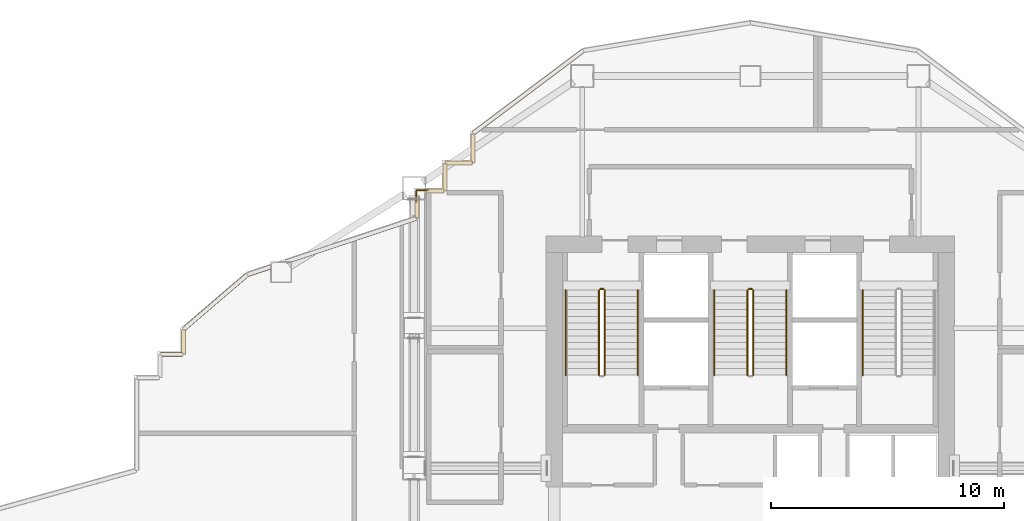
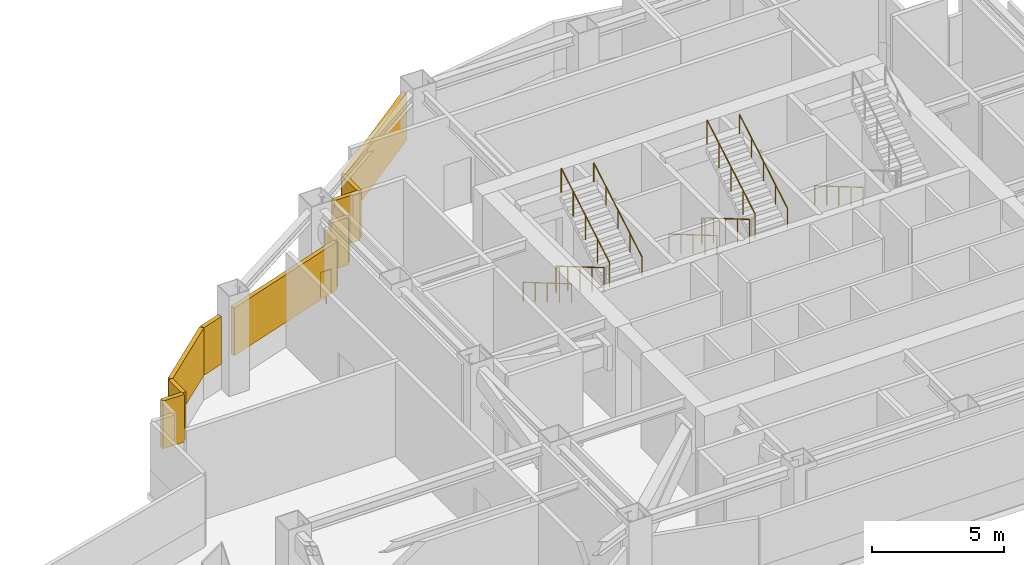
# One storey, part 22 of 24: 13 railings, 11 shading devices.
"""IFC4 building model written with IfcOpenShell, lengths in metres."""

from ifc_helpers import new_model, si_unit, direction, frame, origin, origin_2d, place, context, subcontext, project, spatial, rectangle, circle, extrude, material, type_object, element, save


model = new_model("IFC4")

# Units and contexts
model_context = context("Model", 3, precision=1e-05, world=origin(), true_north=direction((0.0, 1.0)))
body_context = subcontext(model_context, "Body", "Model", "MODEL_VIEW")
ifc_project = project(units=[si_unit("LENGTHUNIT", "METRE"), si_unit("AREAUNIT", "SQUARE_METRE"), si_unit("VOLUMEUNIT", "CUBIC_METRE"), si_unit("PLANEANGLEUNIT", "RADIAN"), si_unit("MASSUNIT", "GRAM", prefix="KILO")], contexts=[model_context])

# Site, building, storey
site_placement = place(None, origin())
site = spatial("IfcSite", under=ifc_project, at=site_placement, CompositionType="ELEMENT")
building_placement = place(site_placement, origin())
building = spatial("IfcBuilding", under=site, at=building_placement, Name="Haolan Belvedere Tower", CompositionType="ELEMENT")
storey_placement = place(building_placement, frame((0.0, 0.0, 160.0)))
storey = spatial("IfcBuildingStorey", under=building, at=storey_placement, Name="L40", CompositionType="ELEMENT", Elevation=160.0)

# Railings
ifc_material_1 = material(Name="Galvanised powder-coated steel guardrail", Category="steel")
railing_type_1 = type_object("IfcRailingType", Name="RL-REF-GRD-1150", PredefinedType="GUARDRAIL", material=ifc_material_1)
railing_1_placement = place(storey_placement, frame((24.090087890625, 45.010009765625, 0.0)))
element("IfcRailing", 1, at=railing_1_placement, inside=storey, type_object=railing_type_1, Name="L40 refuge corner safety guardrail 7A", PredefinedType="GUARDRAIL", context=body_context, shape_type="SweptSolid", body=[
    extrude(circle(Radius=0.02392578125, at=origin_2d()), frame((0.0, 0.0, 1.1259765625), z_axis=(0.0, 1.0, 0.0), x_axis=(-1.0, 0.0, 0.0)), (0.0, 0.0, 1.0), 0.469970703125),
    extrude(circle(Radius=0.02099609375, at=origin_2d()), origin(), (0.0, 0.0, 1.0), 1.101806640625),
    extrude(circle(Radius=0.02099609375, at=origin_2d()), frame((0.0, 0.469970703125, 0.0)), (0.0, 0.0, 1.0), 1.101806640625),
])
railing_2_placement = place(storey_placement, frame((24.1201171875, 45.510009765625, 0.0)))
element("IfcRailing", 2, at=railing_2_placement, inside=storey, type_object=railing_type_1, Name="L40 refuge corner safety guardrail 7B", PredefinedType="GUARDRAIL", context=body_context, shape_type="SweptSolid", body=[
    extrude(circle(Radius=0.02392578125, at=origin_2d()), frame((0.0, 0.0, 1.1259765625), z_axis=(1.0, 0.0, 0.0), x_axis=(0.0, 1.0, 0.0)), (0.0, 0.0, 1.0), 0.469970703125),
    extrude(circle(Radius=0.02099609375, at=origin_2d()), origin(), (0.0, 0.0, 1.0), 1.101806640625),
    extrude(circle(Radius=0.02099609375, at=origin_2d()), frame((0.469970703125, 0.0, 0.0)), (0.0, 0.0, 1.0), 1.101806640625),
])
ifc_material_2 = material(Name="Brushed stainless steel 304", Category="steel")
railing_type_2 = type_object("IfcRailingType", Name="RL-STAIR-GRD-1150", PredefinedType="GUARDRAIL", material=ifc_material_2)
railing_3_placement = place(storey_placement, frame((31.919921875, 41.22998046875, 0.164306640625)))
element("IfcRailing", 3, at=railing_3_placement, inside=storey, type_object=railing_type_2, Name="L40 ST1 stair guard 1", PredefinedType="GUARDRAIL", context=body_context, shape_type="SweptSolid", body=[
    extrude(circle(Radius=0.02392578125, at=origin_2d()), frame((0.0, 0.0, 1.1259765625), z_axis=(0.0, -0.862489892076, 0.506074289079), x_axis=(1.0, 0.0, 0.0)), (0.0, 0.0, 1.0), 4.22021484375),
    extrude(circle(Radius=0.02099609375, at=origin_2d()), origin(), (0.0, 0.0, 1.0), 1.101806640625),
    extrude(circle(Radius=0.02099609375, at=origin_2d()), frame((0.0, -0.909912109375, 0.533935546875)), (0.0, 0.0, 1.0), 1.101806640625),
    extrude(circle(Radius=0.02099609375, at=origin_2d()), frame((0.0, -1.81982421875, 1.06787109375)), (0.0, 0.0, 1.0), 1.101806640625),
    extrude(circle(Radius=0.02099609375, at=origin_2d()), frame((0.0, -2.72998046875, 1.601806640625)), (0.0, 0.0, 1.0), 1.101806640625),
    extrude(circle(Radius=0.02099609375, at=origin_2d()), frame((0.0, -3.639892578125, 2.1357421875)), (0.0, 0.0, 1.0), 1.101806640625),
])
railing_4_placement = place(storey_placement, frame((32.159912109375, 37.590087890625, 2.46435546875)))
element("IfcRailing", 4, at=railing_4_placement, inside=storey, type_object=railing_type_2, Name="L40 ST1 stair guard 3", PredefinedType="GUARDRAIL", context=body_context, shape_type="SweptSolid", body=[
    extrude(circle(Radius=0.02392578125, at=origin_2d()), frame((0.0, 0.0, 1.1259765625), z_axis=(0.0, 0.862489892076, 0.506074289079), x_axis=(-1.0, 0.0, 0.0)), (0.0, 0.0, 1.0), 4.22021484375),
    extrude(circle(Radius=0.02099609375, at=origin_2d()), origin(), (0.0, 0.0, 1.0), 1.101806640625),
    extrude(circle(Radius=0.02099609375, at=origin_2d()), frame((0.0, 0.909912109375, 0.533935546875)), (0.0, 0.0, 1.0), 1.101806640625),
    extrude(circle(Radius=0.02099609375, at=origin_2d()), frame((0.0, 1.81982421875, 1.06787109375)), (0.0, 0.0, 1.0), 1.101806640625),
    extrude(circle(Radius=0.02099609375, at=origin_2d()), frame((0.0, 2.72998046875, 1.601806640625)), (0.0, 0.0, 1.0), 1.101806640625),
    extrude(circle(Radius=0.02099609375, at=origin_2d()), frame((0.0, 3.639892578125, 2.1357421875)), (0.0, 0.0, 1.0), 1.101806640625),
])
railing_5_placement = place(storey_placement, frame((31.969970703125, 41.280029296875, 0.0)))
element("IfcRailing", 5, at=railing_5_placement, inside=storey, type_object=railing_type_2, Name="L40 ST1 stair guard 4", PredefinedType="GUARDRAIL", context=body_context, shape_type="SweptSolid", body=[
    extrude(circle(Radius=0.02392578125, at=origin_2d()), frame((0.0, 0.0, 1.1259765625), z_axis=(1.0, 0.0, 0.0), x_axis=(0.0, 1.0, 0.0)), (0.0, 0.0, 1.0), 0.14013671875),
    extrude(circle(Radius=0.02099609375, at=origin_2d()), origin(), (0.0, 0.0, 1.0), 1.101806640625),
    extrude(circle(Radius=0.02099609375, at=origin_2d()), frame((0.14013671875, 0.0, 0.0)), (0.0, 0.0, 1.0), 1.101806640625),
])
railing_6_placement = place(storey_placement, frame((38.280029296875, 41.22998046875, 0.164306640625)))
element("IfcRailing", 6, at=railing_6_placement, inside=storey, type_object=railing_type_2, Name="L40 ST3 stair guard 1", PredefinedType="GUARDRAIL", context=body_context, shape_type="SweptSolid", body=[
    extrude(circle(Radius=0.02392578125, at=origin_2d()), frame((0.0, 0.0, 1.1259765625), z_axis=(0.0, -0.862489892076, 0.506074289079), x_axis=(1.0, 0.0, 0.0)), (0.0, 0.0, 1.0), 4.22021484375),
    extrude(circle(Radius=0.02099609375, at=origin_2d()), origin(), (0.0, 0.0, 1.0), 1.101806640625),
    extrude(circle(Radius=0.02099609375, at=origin_2d()), frame((0.0, -0.909912109375, 0.533935546875)), (0.0, 0.0, 1.0), 1.101806640625),
    extrude(circle(Radius=0.02099609375, at=origin_2d()), frame((0.0, -1.81982421875, 1.06787109375)), (0.0, 0.0, 1.0), 1.101806640625),
    extrude(circle(Radius=0.02099609375, at=origin_2d()), frame((0.0, -2.72998046875, 1.601806640625)), (0.0, 0.0, 1.0), 1.101806640625),
    extrude(circle(Radius=0.02099609375, at=origin_2d()), frame((0.0, -3.639892578125, 2.1357421875)), (0.0, 0.0, 1.0), 1.101806640625),
])
railing_7_placement = place(storey_placement, frame((38.52001953125, 37.590087890625, 2.46435546875)))
element("IfcRailing", 7, at=railing_7_placement, inside=storey, type_object=railing_type_2, Name="L40 ST3 stair guard 3", PredefinedType="GUARDRAIL", context=body_context, shape_type="SweptSolid", body=[
    extrude(circle(Radius=0.02392578125, at=origin_2d()), frame((0.0, 0.0, 1.1259765625), z_axis=(0.0, 0.862489892076, 0.506074289079), x_axis=(-1.0, 0.0, 0.0)), (0.0, 0.0, 1.0), 4.22021484375),
    extrude(circle(Radius=0.02099609375, at=origin_2d()), origin(), (0.0, 0.0, 1.0), 1.101806640625),
    extrude(circle(Radius=0.02099609375, at=origin_2d()), frame((0.0, 0.909912109375, 0.533935546875)), (0.0, 0.0, 1.0), 1.101806640625),
    extrude(circle(Radius=0.02099609375, at=origin_2d()), frame((0.0, 1.81982421875, 1.06787109375)), (0.0, 0.0, 1.0), 1.101806640625),
    extrude(circle(Radius=0.02099609375, at=origin_2d()), frame((0.0, 2.72998046875, 1.601806640625)), (0.0, 0.0, 1.0), 1.101806640625),
    extrude(circle(Radius=0.02099609375, at=origin_2d()), frame((0.0, 3.639892578125, 2.1357421875)), (0.0, 0.0, 1.0), 1.101806640625),
])
railing_8_placement = place(storey_placement, frame((38.330078125, 41.280029296875, 0.0)))
element("IfcRailing", 8, at=railing_8_placement, inside=storey, type_object=railing_type_2, Name="L40 ST3 stair guard 4", PredefinedType="GUARDRAIL", context=body_context, shape_type="SweptSolid", body=[
    extrude(circle(Radius=0.02392578125, at=origin_2d()), frame((0.0, 0.0, 1.1259765625), z_axis=(1.0, 0.0, 0.0), x_axis=(0.0, 1.0, 0.0)), (0.0, 0.0, 1.0), 0.139892578125),
    extrude(circle(Radius=0.02099609375, at=origin_2d()), origin(), (0.0, 0.0, 1.0), 1.101806640625),
    extrude(circle(Radius=0.02099609375, at=origin_2d()), frame((0.139892578125, 0.0, 0.0)), (0.0, 0.0, 1.0), 1.101806640625),
])
railing_type_3 = type_object("IfcRailingType", Name="RL-STAIR-HND-900", PredefinedType="HANDRAIL", material=ifc_material_2)
railing_9_placement = place(storey_placement, frame((30.5, 41.22998046875, 0.164306640625)))
element("IfcRailing", 9, at=railing_9_placement, inside=storey, type_object=railing_type_3, Name="L40 ST1 stair handrail 1", PredefinedType="HANDRAIL", context=body_context, shape_type="SweptSolid", body=[
    extrude(circle(Radius=0.02392578125, at=origin_2d()), frame((0.0, 0.0, 0.8759765625), z_axis=(0.0, -0.862489892076, 0.506074289079), x_axis=(1.0, 0.0, 0.0)), (0.0, 0.0, 1.0), 4.22021484375),
    extrude(circle(Radius=0.02099609375, at=origin_2d()), origin(), (0.0, 0.0, 1.0), 0.851806640625),
    extrude(circle(Radius=0.02099609375, at=origin_2d()), frame((0.0, -0.909912109375, 0.533935546875)), (0.0, 0.0, 1.0), 0.851806640625),
    extrude(circle(Radius=0.02099609375, at=origin_2d()), frame((0.0, -1.81982421875, 1.06787109375)), (0.0, 0.0, 1.0), 0.851806640625),
    extrude(circle(Radius=0.02099609375, at=origin_2d()), frame((0.0, -2.72998046875, 1.601806640625)), (0.0, 0.0, 1.0), 0.851806640625),
    extrude(circle(Radius=0.02099609375, at=origin_2d()), frame((0.0, -3.639892578125, 2.1357421875)), (0.0, 0.0, 1.0), 0.851806640625),
])
railing_10_placement = place(storey_placement, frame((33.580078125, 37.590087890625, 2.46435546875)))
element("IfcRailing", 10, at=railing_10_placement, inside=storey, type_object=railing_type_3, Name="L40 ST1 stair handrail 2", PredefinedType="HANDRAIL", context=body_context, shape_type="SweptSolid", body=[
    extrude(circle(Radius=0.02392578125, at=origin_2d()), frame((0.0, 0.0, 0.8759765625), z_axis=(0.0, 0.862489892076, 0.506074289079), x_axis=(-1.0, 0.0, 0.0)), (0.0, 0.0, 1.0), 4.22021484375),
    extrude(circle(Radius=0.02099609375, at=origin_2d()), origin(), (0.0, 0.0, 1.0), 0.851806640625),
    extrude(circle(Radius=0.02099609375, at=origin_2d()), frame((0.0, 0.909912109375, 0.533935546875)), (0.0, 0.0, 1.0), 0.851806640625),
    extrude(circle(Radius=0.02099609375, at=origin_2d()), frame((0.0, 1.81982421875, 1.06787109375)), (0.0, 0.0, 1.0), 0.851806640625),
    extrude(circle(Radius=0.02099609375, at=origin_2d()), frame((0.0, 2.72998046875, 1.601806640625)), (0.0, 0.0, 1.0), 0.851806640625),
    extrude(circle(Radius=0.02099609375, at=origin_2d()), frame((0.0, 3.639892578125, 2.1357421875)), (0.0, 0.0, 1.0), 0.851806640625),
])
railing_11_placement = place(storey_placement, frame((36.860107421875, 41.22998046875, 0.164306640625)))
element("IfcRailing", 11, at=railing_11_placement, inside=storey, type_object=railing_type_3, Name="L40 ST3 stair handrail 1", PredefinedType="HANDRAIL", context=body_context, shape_type="SweptSolid", body=[
    extrude(circle(Radius=0.02392578125, at=origin_2d()), frame((0.0, 0.0, 0.8759765625), z_axis=(0.0, -0.862489892076, 0.506074289079), x_axis=(1.0, 0.0, 0.0)), (0.0, 0.0, 1.0), 4.22021484375),
    extrude(circle(Radius=0.02099609375, at=origin_2d()), origin(), (0.0, 0.0, 1.0), 0.851806640625),
    extrude(circle(Radius=0.02099609375, at=origin_2d()), frame((0.0, -0.909912109375, 0.533935546875)), (0.0, 0.0, 1.0), 0.851806640625),
    extrude(circle(Radius=0.02099609375, at=origin_2d()), frame((0.0, -1.81982421875, 1.06787109375)), (0.0, 0.0, 1.0), 0.851806640625),
    extrude(circle(Radius=0.02099609375, at=origin_2d()), frame((0.0, -2.72998046875, 1.601806640625)), (0.0, 0.0, 1.0), 0.851806640625),
    extrude(circle(Radius=0.02099609375, at=origin_2d()), frame((0.0, -3.639892578125, 2.1357421875)), (0.0, 0.0, 1.0), 0.851806640625),
])
railing_12_placement = place(storey_placement, frame((39.93994140625, 37.590087890625, 2.46435546875)))
element("IfcRailing", 12, at=railing_12_placement, inside=storey, type_object=railing_type_3, Name="L40 ST3 stair handrail 2", PredefinedType="HANDRAIL", context=body_context, shape_type="SweptSolid", body=[
    extrude(circle(Radius=0.02392578125, at=origin_2d()), frame((0.0, 0.0, 0.8759765625), z_axis=(0.0, 0.862489892076, 0.506074289079), x_axis=(-1.0, 0.0, 0.0)), (0.0, 0.0, 1.0), 4.22021484375),
    extrude(circle(Radius=0.02099609375, at=origin_2d()), origin(), (0.0, 0.0, 1.0), 0.851806640625),
    extrude(circle(Radius=0.02099609375, at=origin_2d()), frame((0.0, 0.909912109375, 0.533935546875)), (0.0, 0.0, 1.0), 0.851806640625),
    extrude(circle(Radius=0.02099609375, at=origin_2d()), frame((0.0, 1.81982421875, 1.06787109375)), (0.0, 0.0, 1.0), 0.851806640625),
    extrude(circle(Radius=0.02099609375, at=origin_2d()), frame((0.0, 2.72998046875, 1.601806640625)), (0.0, 0.0, 1.0), 0.851806640625),
    extrude(circle(Radius=0.02099609375, at=origin_2d()), frame((0.0, 3.639892578125, 2.1357421875)), (0.0, 0.0, 1.0), 0.851806640625),
])
railing_13_placement = place(storey_placement, frame((43.219970703125, 41.22998046875, 0.164306640625)))
element("IfcRailing", 13, at=railing_13_placement, inside=storey, type_object=railing_type_3, Name="L40 ST2 stair handrail 1", PredefinedType="HANDRAIL", context=body_context, shape_type="SweptSolid", body=[
    extrude(circle(Radius=0.02392578125, at=origin_2d()), frame((0.0, 0.0, 0.8759765625), z_axis=(0.0, -0.862489892076, 0.506074289079), x_axis=(1.0, 0.0, 0.0)), (0.0, 0.0, 1.0), 4.22021484375),
    extrude(circle(Radius=0.02099609375, at=origin_2d()), origin(), (0.0, 0.0, 1.0), 0.851806640625),
    extrude(circle(Radius=0.02099609375, at=origin_2d()), frame((0.0, -0.909912109375, 0.533935546875)), (0.0, 0.0, 1.0), 0.851806640625),
    extrude(circle(Radius=0.02099609375, at=origin_2d()), frame((0.0, -1.81982421875, 1.06787109375)), (0.0, 0.0, 1.0), 0.851806640625),
    extrude(circle(Radius=0.02099609375, at=origin_2d()), frame((0.0, -2.72998046875, 1.601806640625)), (0.0, 0.0, 1.0), 0.851806640625),
    extrude(circle(Radius=0.02099609375, at=origin_2d()), frame((0.0, -3.639892578125, 2.1357421875)), (0.0, 0.0, 1.0), 0.851806640625),
])

# Shading devices
ifc_material_3 = material(Name="Anodised champagne-silver aluminium 6063-T6", Category="aluminium")
shading_device_type = type_object("IfcShadingDeviceType", Name="SHD-LOUV-180", PredefinedType="JALOUSIE", material=ifc_material_3)
shading_device_1_placement = place(storey_placement, frame((28.88427734375, 49.713134765625, 1.14990234375), z_axis=(0.0, 0.0, 1.0), x_axis=(-0.799998928149, -0.600001429133, 0.0)))
element("IfcShadingDevice", 14, at=shading_device_1_placement, inside=storey, type_object=shading_device_type, Name="L40 refuge storm-proof louvre bank 29.1", PredefinedType="JALOUSIE", context=body_context, shape_type="SweptSolid", body=[
    extrude(rectangle(XDim=5.87060546875, YDim=0.179931640625, at=origin_2d()), origin(), (0.0, 0.0, 1.0), 2.199951171875),
])
shading_device_2_placement = place(storey_placement, frame((26.52001953125, 47.302490234375, 1.14990234375), z_axis=(0.0, 0.0, 1.0), x_axis=(0.0, -1.0, 0.0)))
element("IfcShadingDevice", 15, at=shading_device_2_placement, inside=storey, type_object=shading_device_type, Name="L40 refuge storm-proof louvre bank 30.1", PredefinedType="JALOUSIE", context=body_context, shape_type="SweptSolid", body=[
    extrude(rectangle(XDim=1.205078125, YDim=0.179931640625, at=origin_2d()), origin(), (0.0, 0.0, 1.0), 2.199951171875),
])
for number, where, z_axis, x_axis, name in (
    (16, (25.905029296875, 46.679931640625, 1.14990234375), (0.0, 0.0, 1.0), (-1.0, 0.0, 0.0), "L40 refuge storm-proof louvre bank 31.1"),
    (17, (25.320068359375, 46.06494140625, 1.14990234375), (0.0, 0.0, 1.0), (0.0, -1.0, 0.0), "L40 refuge storm-proof louvre bank 32.1"),
):
    element("IfcShadingDevice", number, at=place(storey_placement, frame(where, z_axis=z_axis, x_axis=x_axis)), inside=storey, type_object=shading_device_type, Name=name, PredefinedType="JALOUSIE", context=body_context, shape_type="SweptSolid", body=[
        extrude(rectangle(XDim=1.1298828125, YDim=0.179931640625, at=origin_2d()), origin(), (0.0, 0.0, 1.0), 2.199951171875),
    ])
shading_device_3_placement = place(storey_placement, frame((24.89111328125, 45.47998046875, 1.14990234375), z_axis=(0.0, 0.0, 1.0), x_axis=(-1.0, 0.0, 0.0)))
element("IfcShadingDevice", 18, at=shading_device_3_placement, inside=storey, type_object=shading_device_type, Name="L40 refuge storm-proof louvre bank 33.1", PredefinedType="JALOUSIE", context=body_context, shape_type="SweptSolid", body=[
    extrude(rectangle(XDim=0.758056640625, YDim=0.179931640625, at=origin_2d()), origin(), (0.0, 0.0, 1.0), 2.199951171875),
])
shading_device_4_placement = place(storey_placement, frame((24.1201171875, 44.710693359375, 1.14990234375), z_axis=(0.0, 0.0, 1.0), x_axis=(0.0, -1.0, 0.0)))
element("IfcShadingDevice", 19, at=shading_device_4_placement, inside=storey, type_object=shading_device_type, Name="L40 refuge storm-proof louvre bank 34.1", PredefinedType="JALOUSIE", context=body_context, shape_type="SweptSolid", body=[
    extrude(rectangle(XDim=0.75439453125, YDim=0.179931640625, at=origin_2d()), origin(), (0.0, 0.0, 1.0), 2.199951171875),
])
shading_device_5_placement = place(storey_placement, frame((21.298583984375, 43.373046875, 1.14990234375), z_axis=(0.0, 0.0, 1.0), x_axis=(-0.948683015593, -0.316228613389, 0.0)))
element("IfcShadingDevice", 20, at=shading_device_5_placement, inside=storey, type_object=shading_device_type, Name="L40 refuge storm-proof louvre bank 35.1", PredefinedType="JALOUSIE", context=body_context, shape_type="SweptSolid", body=[
    extrude(rectangle(XDim=5.848388671875, YDim=0.179931640625, at=origin_2d()), origin(), (0.0, 0.0, 1.0), 2.199951171875),
])
shading_device_6_placement = place(storey_placement, frame((17.359130859375, 42.059814453125, 1.14990234375), z_axis=(0.0, 0.0, 1.0), x_axis=(-0.948683015593, -0.316228613389, 0.0)))
element("IfcShadingDevice", 21, at=shading_device_6_placement, inside=storey, type_object=shading_device_type, Name="L40 refuge storm-proof louvre bank 35.2", PredefinedType="JALOUSIE", context=body_context, shape_type="SweptSolid", body=[
    extrude(rectangle(XDim=1.01171875, YDim=0.179931640625, at=origin_2d()), origin(), (0.0, 0.0, 1.0), 2.199951171875),
])
shading_device_7_placement = place(storey_placement, frame((15.489990234375, 40.71923828125, 1.14990234375), z_axis=(0.0, 0.0, 1.0), x_axis=(-0.759248590567, -0.650800720438, 0.0)))
element("IfcShadingDevice", 22, at=shading_device_7_placement, inside=storey, type_object=shading_device_type, Name="L40 refuge storm-proof louvre bank 36.1", PredefinedType="JALOUSIE", context=body_context, shape_type="SweptSolid", body=[
    extrude(rectangle(XDim=3.569091796875, YDim=0.179931640625, at=origin_2d()), origin(), (0.0, 0.0, 1.0), 2.199951171875),
])
shading_device_8_placement = place(storey_placement, frame((14.1201171875, 39.012451171875, 1.14990234375), z_axis=(0.0, 0.0, 1.0), x_axis=(0.0, -1.0, 0.0)))
element("IfcShadingDevice", 23, at=shading_device_8_placement, inside=storey, type_object=shading_device_type, Name="L40 refuge storm-proof louvre bank 37.1", PredefinedType="JALOUSIE", context=body_context, shape_type="SweptSolid", body=[
    extrude(rectangle(XDim=1.02490234375, YDim=0.179931640625, at=origin_2d()), origin(), (0.0, 0.0, 1.0), 2.199951171875),
])
shading_device_9_placement = place(storey_placement, frame((13.60498046875, 38.47998046875, 1.14990234375), z_axis=(0.0, 0.0, 1.0), x_axis=(-1.0, 0.0, 0.0)))
element("IfcShadingDevice", 24, at=shading_device_9_placement, inside=storey, type_object=shading_device_type, Name="L40 refuge storm-proof louvre bank 38.1", PredefinedType="JALOUSIE", context=body_context, shape_type="SweptSolid", body=[
    extrude(rectangle(XDim=0.929931640625, YDim=0.179931640625, at=origin_2d()), origin(), (0.0, 0.0, 1.0), 2.199951171875),
])

save(model, "model.ifc")
